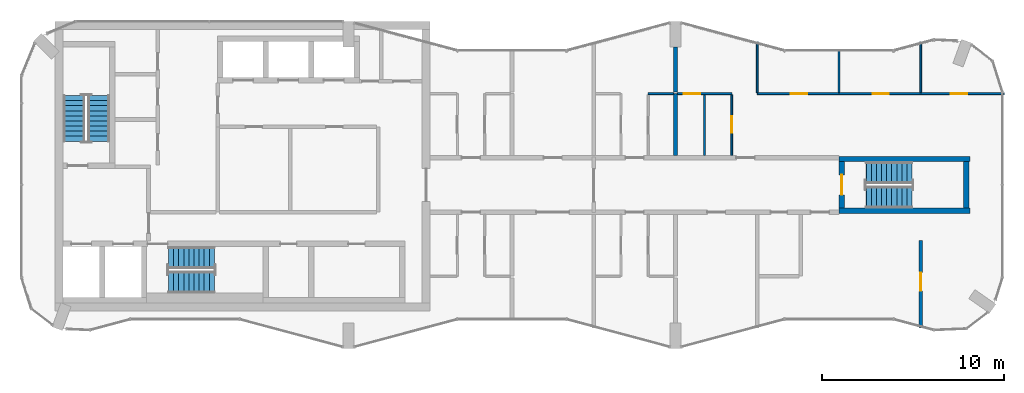
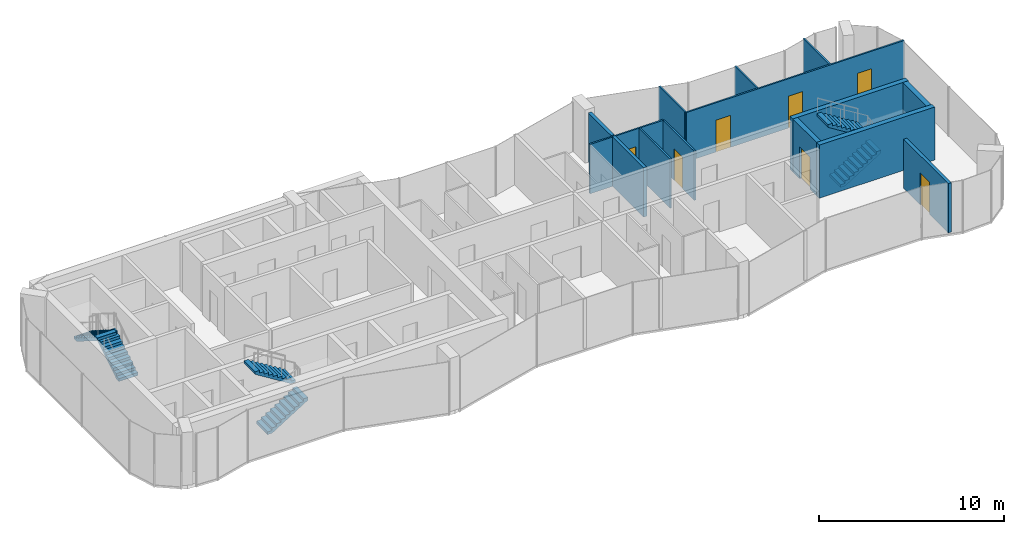
# One storey, part 9 of 10: 15 walls, 7 doors, 6 stair flights, 7 openings, 3 elements without a shape of their own.
"""IFC4 building model written with IfcOpenShell, lengths in metres."""

from ifc_helpers import new_model, si_unit, direction, frame, frame_2d, origin, place, context, subcontext, project, spatial, polyline, rectangle, outline, extrude, material, layer, layer_set, type_object, element, fill, aggregate, save


model = new_model("IFC4")

# Units and contexts
model_context = context("Model", 3, precision=1e-05, world=origin(), true_north=direction((0.0, 1.0)))
body_context = subcontext(model_context, "Body", "Model", "MODEL_VIEW")
ifc_project = project(units=[si_unit("LENGTHUNIT", "METRE"), si_unit("AREAUNIT", "SQUARE_METRE"), si_unit("VOLUMEUNIT", "CUBIC_METRE"), si_unit("PLANEANGLEUNIT", "RADIAN"), si_unit("MASSUNIT", "GRAM", prefix="KILO")], contexts=[model_context])

# Site, building, storey
site_placement = place(None, origin())
site = spatial("IfcSite", under=ifc_project, at=site_placement, CompositionType="ELEMENT")
building_placement = place(site_placement, origin())
building = spatial("IfcBuilding", under=site, at=building_placement, Name="Plateau Cross Towers", CompositionType="ELEMENT")
storey_placement = place(building_placement, frame((0.0, 0.0, 259.89990234375)))
storey = spatial("IfcBuildingStorey", under=building, at=storey_placement, Name="L68", CompositionType="ELEMENT", Elevation=259.89990234375)

# Wall
ifc_material_1 = material(Name="Gypsum board on steel studs", Category="steel")
ifc_layer_1 = layer(ifc_material_1, 0.10009765625)
ifc_layer_set_1 = layer_set([ifc_layer_1], Name="Gypsum board on steel studs")
wall_type_1 = type_object("IfcWallType", Name="Flat partition 100", PredefinedType="PARTITIONING", material=ifc_layer_set_1)
wall_1_placement = place(storey_placement, frame((35.89990234375, 14.02490234375, 0.0), z_axis=(0.0, 0.0, 1.0), x_axis=(-1.0, 0.0, 0.0)))
element("IfcWall", 1, at=wall_1_placement, inside=storey, type_object=wall_type_1, Name="Partition wall", PredefinedType="PARTITIONING", context=body_context, shape_type="SweptSolid", body=[
    extrude(rectangle(XDim=1.39990234375, YDim=0.10009765625, at=frame_2d((0.699951171875, 0.0))), origin(), (0.0, 0.0, 1.0), 3.25),
])

# Wall, opening, door
wall_2_placement = place(storey_placement, frame((39.10009765625, 14.02490234375, 0.0), z_axis=(0.0, 0.0, 1.0), x_axis=(-1.0, 0.0, 0.0)))
wall_2 = element("IfcWall", 2, at=wall_2_placement, inside=storey, type_object=wall_type_1, Name="Partition wall", PredefinedType="PARTITIONING", context=body_context, shape_type="SweptSolid", body=[
    extrude(rectangle(XDim=3.0, YDim=0.10009765625, at=frame_2d((1.5, 0.0))), origin(), (0.0, 0.0, 1.0), 3.25),
])
opening_1_placement = place(wall_2_placement, frame((1.75, 0.0, 0.0)))
opening_1 = element("IfcOpeningElement", 3, at=opening_1_placement, cuts=wall_2, Name="Opening 68-21", PredefinedType="OPENING", context=body_context, shape_type="SweptSolid", body=[
    extrude(rectangle(XDim=0.89990234375, YDim=2.10009765625, at=frame_2d((0.449951171875, 1.050048828125))), frame((0.0, 0.06005859375, 0.0), z_axis=(0.0, -1.0, 0.0), x_axis=(1.0, 0.0, 0.0)), (0.0, 0.0, 1.0), 0.1201171875),
])
ifc_material_2 = material(Name="Timber leaf", Category="wood")
door_type_1 = type_object("IfcDoorType", Name="Flat room door 900", OperationType="NOTDEFINED", PredefinedType="DOOR", material=ifc_material_2)
door_1_placement = place(opening_1_placement, origin())
door_1 = element("IfcDoor", 4, at=door_1_placement, inside=storey, type_object=door_type_1, Name="Door 68-21", OperationType="SINGLE_SWING_RIGHT", OverallHeight=2.10009765625, OverallWidth=0.89990234375, PredefinedType="DOOR", context=body_context, shape_type="SweptSolid", body=[
    extrude(rectangle(XDim=0.89990234375, YDim=2.10009765625, at=frame_2d((0.449951171875, 1.050048828125))), frame((0.0, 0.02490234375, 0.0), z_axis=(0.0, -1.0, 0.0), x_axis=(1.0, 0.0, 0.0)), (0.0, 0.0, 1.0), 0.050048828125),
])
fill(opening_1, door_1)

# Wall, openings, doors
wall_3_placement = place(storey_placement, frame((40.5, 14.02490234375, 0.0), z_axis=(0.0, 0.0, 1.0), x_axis=(1.0, 0.0, 0.0)))
wall_3 = element("IfcWall", 5, at=wall_3_placement, inside=storey, type_object=wall_type_1, Name="Partition wall", PredefinedType="PARTITIONING", context=body_context, shape_type="SweptSolid", body=[
    extrude(rectangle(XDim=13.580078125, YDim=0.10009765625, at=frame_2d((6.7900390625, 0.0))), origin(), (0.0, 0.0, 1.0), 3.25),
])
opening_2_placement = place(wall_3_placement, frame((1.85009765625, 0.0, 0.0)))
opening_2 = element("IfcOpeningElement", 6, at=opening_2_placement, cuts=wall_3, Name="Opening 68-23", PredefinedType="OPENING", context=body_context, shape_type="SweptSolid", body=[
    extrude(rectangle(XDim=0.89990234375, YDim=2.10009765625, at=frame_2d((0.449951171875, 1.050048828125))), frame((0.0, 0.06005859375, 0.0), z_axis=(0.0, -1.0, 0.0), x_axis=(1.0, 0.0, 0.0)), (0.0, 0.0, 1.0), 0.1201171875),
])
opening_3_placement = place(wall_3_placement, frame((6.35009765625, 0.0, 0.0)))
opening_3 = element("IfcOpeningElement", 7, at=opening_3_placement, cuts=wall_3, Name="Opening 68-24", PredefinedType="OPENING", context=body_context, shape_type="SweptSolid", body=[
    extrude(rectangle(XDim=0.89990234375, YDim=2.10009765625, at=frame_2d((0.449951171875, 1.050048828125))), frame((0.0, 0.06005859375, 0.0), z_axis=(0.0, -1.0, 0.0), x_axis=(1.0, 0.0, 0.0)), (0.0, 0.0, 1.0), 0.1201171875),
])
opening_4_placement = place(wall_3_placement, frame((10.64990234375, 0.0, 0.0)))
opening_4 = element("IfcOpeningElement", 8, at=opening_4_placement, cuts=wall_3, Name="Opening 68-25", PredefinedType="OPENING", context=body_context, shape_type="SweptSolid", body=[
    extrude(rectangle(XDim=0.89990234375, YDim=2.10009765625, at=frame_2d((0.449951171875, 1.050048828125))), frame((0.0, 0.06005859375, 0.0), z_axis=(0.0, -1.0, 0.0), x_axis=(1.0, 0.0, 0.0)), (0.0, 0.0, 1.0), 0.1201171875),
])
door_2_placement = place(opening_2_placement, origin())
door_2 = element("IfcDoor", 9, at=door_2_placement, inside=storey, type_object=door_type_1, Name="Door 68-23", OperationType="SINGLE_SWING_LEFT", OverallHeight=2.10009765625, OverallWidth=0.89990234375, PredefinedType="DOOR", context=body_context, shape_type="SweptSolid", body=[
    extrude(rectangle(XDim=0.89990234375, YDim=2.10009765625, at=frame_2d((0.449951171875, 1.050048828125))), frame((0.0, 0.02490234375, 0.0), z_axis=(0.0, -1.0, 0.0), x_axis=(1.0, 0.0, 0.0)), (0.0, 0.0, 1.0), 0.050048828125),
])
fill(opening_2, door_2)
door_3_placement = place(opening_3_placement, origin())
door_3 = element("IfcDoor", 10, at=door_3_placement, inside=storey, type_object=door_type_1, Name="Door 68-24", OperationType="SINGLE_SWING_RIGHT", OverallHeight=2.10009765625, OverallWidth=0.89990234375, PredefinedType="DOOR", context=body_context, shape_type="SweptSolid", body=[
    extrude(rectangle(XDim=0.89990234375, YDim=2.10009765625, at=frame_2d((0.449951171875, 1.050048828125))), frame((0.0, 0.02490234375, 0.0), z_axis=(0.0, -1.0, 0.0), x_axis=(1.0, 0.0, 0.0)), (0.0, 0.0, 1.0), 0.050048828125),
])
fill(opening_3, door_3)
door_4_placement = place(opening_4_placement, origin())
door_4 = element("IfcDoor", 11, at=door_4_placement, inside=storey, type_object=door_type_1, Name="Door 68-25", OperationType="SINGLE_SWING_RIGHT", OverallHeight=2.10009765625, OverallWidth=0.89990234375, PredefinedType="DOOR", context=body_context, shape_type="SweptSolid", body=[
    extrude(rectangle(XDim=0.89990234375, YDim=2.10009765625, at=frame_2d((0.449951171875, 1.050048828125))), frame((0.0, 0.02490234375, 0.0), z_axis=(0.0, -1.0, 0.0), x_axis=(1.0, 0.0, 0.0)), (0.0, 0.0, 1.0), 0.050048828125),
])
fill(opening_4, door_4)

# Wall
wall_4_placement = place(storey_placement, frame((37.60009765625, 10.625, 0.0), z_axis=(0.0, 0.0, 1.0), x_axis=(0.0, 1.0, 0.0)))
element("IfcWall", 12, at=wall_4_placement, inside=storey, type_object=wall_type_1, Name="Partition wall", PredefinedType="PARTITIONING", context=body_context, shape_type="SweptSolid", body=[
    extrude(rectangle(XDim=3.35009765625, YDim=0.10009765625, at=frame_2d((1.675048828125, 0.0))), origin(), (0.0, 0.0, 1.0), 3.25),
])

# Wall, opening, door
wall_5_placement = place(storey_placement, frame((39.10009765625, 10.625, 0.0), z_axis=(0.0, 0.0, 1.0), x_axis=(0.0, 1.0, 0.0)))
wall_5 = element("IfcWall", 13, at=wall_5_placement, inside=storey, type_object=wall_type_1, Name="Partition wall", PredefinedType="PARTITIONING", context=body_context, shape_type="SweptSolid", body=[
    extrude(rectangle(XDim=3.35009765625, YDim=0.10009765625, at=frame_2d((1.675048828125, 0.0))), origin(), (0.0, 0.0, 1.0), 3.25),
])
opening_5_placement = place(wall_5_placement, frame((1.25, 0.0, 0.0)))
opening_5 = element("IfcOpeningElement", 14, at=opening_5_placement, cuts=wall_5, Name="Opening 68-22", PredefinedType="OPENING", context=body_context, shape_type="SweptSolid", body=[
    extrude(rectangle(XDim=0.89990234375, YDim=2.10009765625, at=frame_2d((0.449951171875, 1.050048828125))), frame((0.0, 0.06005859375, 0.0), z_axis=(0.0, -1.0, 0.0), x_axis=(1.0, 0.0, 0.0)), (0.0, 0.0, 1.0), 0.1201171875),
])
door_5_placement = place(opening_5_placement, origin())
door_5 = element("IfcDoor", 15, at=door_5_placement, inside=storey, type_object=door_type_1, Name="Door 68-22", OperationType="SINGLE_SWING_RIGHT", OverallHeight=2.10009765625, OverallWidth=0.89990234375, PredefinedType="DOOR", context=body_context, shape_type="SweptSolid", body=[
    extrude(rectangle(XDim=0.89990234375, YDim=2.10009765625, at=frame_2d((0.449951171875, 1.050048828125))), frame((0.0, 0.02490234375, 0.0), z_axis=(0.0, -1.0, 0.0), x_axis=(1.0, 0.0, 0.0)), (0.0, 0.0, 1.0), 0.050048828125),
])
fill(opening_5, door_5)

# Walls
wall_6_placement = place(storey_placement, frame((40.5, 16.877685546875, 0.0), z_axis=(0.0, 0.0, 1.0), x_axis=(0.0, -1.0, 0.0)))
element("IfcWall", 16, at=wall_6_placement, inside=storey, type_object=wall_type_1, Name="Partition wall", PredefinedType="PARTITIONING", context=body_context, shape_type="SweptSolid", body=[
    extrude(rectangle(XDim=2.802734375, YDim=0.10009765625, at=frame_2d((1.4013671875, 0.0))), origin(), (0.0, 0.0, 1.0), 3.25),
])
wall_7_placement = place(storey_placement, frame((45.0, 14.074951171875, 0.0), z_axis=(0.0, 0.0, 1.0), x_axis=(0.0, 1.0, 0.0)))
element("IfcWall", 17, at=wall_7_placement, inside=storey, type_object=wall_type_1, Name="Partition wall", PredefinedType="PARTITIONING", context=body_context, shape_type="SweptSolid", body=[
    extrude(rectangle(XDim=2.398193359375, YDim=0.10009765625, at=frame_2d((1.19921875, 0.0))), origin(), (0.0, 0.0, 1.0), 3.25),
])
wall_8_placement = place(storey_placement, frame((49.5, 14.074951171875, 0.0), z_axis=(0.0, 0.0, 1.0), x_axis=(0.0, 1.0, 0.0)))
element("IfcWall", 18, at=wall_8_placement, inside=storey, type_object=wall_type_1, Name="Partition wall", PredefinedType="PARTITIONING", context=body_context, shape_type="SweptSolid", body=[
    extrude(rectangle(XDim=2.802734375, YDim=0.10009765625, at=frame_2d((1.4013671875, 0.0))), origin(), (0.0, 0.0, 1.0), 3.25),
])
ifc_material_3 = material(Name="Gypsum board on steel studs, two layers each side", Category="steel")
ifc_layer_2 = layer(ifc_material_3, 0.199951171875)
ifc_layer_set_2 = layer_set([ifc_layer_2], Name="Gypsum board on steel studs, two layers each side")
wall_type_2 = type_object("IfcWallType", Name="Flat party wall 200", PredefinedType="PARTITIONING", material=ifc_layer_set_2)
wall_9_placement = place(storey_placement, frame((36.0, 16.60009765625, 0.0), z_axis=(0.0, 0.0, 1.0), x_axis=(0.0, -1.0, 0.0)))
element("IfcWall", 19, at=wall_9_placement, inside=storey, type_object=wall_type_2, Name="Party wall", PredefinedType="PARTITIONING", context=body_context, shape_type="SweptSolid", body=[
    extrude(rectangle(XDim=2.47509765625, YDim=0.199951171875, at=frame_2d((1.237548828125, 0.0))), origin(), (0.0, 0.0, 1.0), 3.25),
])
wall_10_placement = place(storey_placement, frame((36.0, 10.625, 0.0), z_axis=(0.0, 0.0, 1.0), x_axis=(0.0, 1.0, 0.0)))
element("IfcWall", 20, at=wall_10_placement, inside=storey, type_object=wall_type_2, Name="Party wall", PredefinedType="PARTITIONING", context=body_context, shape_type="SweptSolid", body=[
    extrude(rectangle(XDim=3.39990234375, YDim=0.199951171875, at=frame_2d((1.699951171875, 0.0))), origin(), (0.0, 0.0, 1.0), 3.25),
])

# Wall, opening, door
wall_11_placement = place(storey_placement, frame((49.5, 1.122314453125, 0.0), z_axis=(0.0, 0.0, 1.0), x_axis=(0.0, 1.0, 0.0)))
wall_11 = element("IfcWall", 21, at=wall_11_placement, inside=storey, type_object=wall_type_2, Name="Party wall", PredefinedType="PARTITIONING", context=body_context, shape_type="SweptSolid", body=[
    extrude(rectangle(XDim=4.82763671875, YDim=0.199951171875, at=frame_2d((2.413818359375, 0.0))), origin(), (0.0, 0.0, 1.0), 3.25),
])
opening_6_placement = place(wall_11_placement, frame((2.050048828125, 0.0, 0.0)))
opening_6 = element("IfcOpeningElement", 22, at=opening_6_placement, cuts=wall_11, Name="Opening 68-12", PredefinedType="OPENING", context=body_context, shape_type="SweptSolid", body=[
    extrude(rectangle(XDim=1.0, YDim=2.10009765625, at=frame_2d((0.5, 1.050048828125))), frame((0.0, 0.10986328125, 0.0), z_axis=(0.0, -1.0, 0.0), x_axis=(1.0, 0.0, 0.0)), (0.0, 0.0, 1.0), 0.219970703125),
])
ifc_material_4 = material(Name="Timber, fire-resisting leaf", Category="wood")
door_type_2 = type_object("IfcDoorType", Name="Flat entrance door 1000", OperationType="NOTDEFINED", PredefinedType="DOOR", material=ifc_material_4)
door_6_placement = place(opening_6_placement, origin())
door_6 = element("IfcDoor", 23, at=door_6_placement, inside=storey, type_object=door_type_2, Name="Door 68-12", OperationType="SINGLE_SWING_RIGHT", OverallHeight=2.10009765625, OverallWidth=1.0, PredefinedType="DOOR", context=body_context, shape_type="SweptSolid", body=[
    extrude(rectangle(XDim=1.0, YDim=2.10009765625, at=frame_2d((0.5, 1.050048828125))), frame((0.0, 0.02490234375, 0.0), z_axis=(0.0, -1.0, 0.0), x_axis=(1.0, 0.0, 0.0)), (0.0, 0.0, 1.0), 0.050048828125),
])
fill(opening_6, door_6)

ifc_material_5 = material(Name="Concrete C60/75", Category="concrete")
ifc_layer_3 = layer(ifc_material_5, 0.300048828125)
ifc_layer_set_3 = layer_set([ifc_layer_3], Name="Concrete C60/75")
wall_type_3 = type_object("IfcWallType", Name="Stair tower wall 300", PredefinedType="SHEAR", material=ifc_layer_set_3)
wall_12_placement = place(storey_placement, frame((45.14990234375, 7.72509765625, 0.0), z_axis=(0.0, 0.0, 1.0), x_axis=(0.0, 1.0, 0.0)))
wall_12 = element("IfcWall", 24, at=wall_12_placement, inside=storey, type_object=wall_type_3, Name="A-end-E-W@L68", PredefinedType="SHEAR", context=body_context, shape_type="SweptSolid", body=[
    extrude(rectangle(XDim=2.5498046875, YDim=0.300048828125, at=frame_2d((1.27490234375, 0.0))), origin(), (0.0, 0.0, 1.0), 3.5),
])
opening_7_placement = place(wall_12_placement, frame((0.72509765625, 0.0, 0.0)))
opening_7 = element("IfcOpeningElement", 25, at=opening_7_placement, cuts=wall_12, Name="Opening SD", PredefinedType="OPENING", context=body_context, shape_type="SweptSolid", body=[
    extrude(rectangle(XDim=1.10009765625, YDim=2.10009765625, at=frame_2d((0.550048828125, 1.050048828125))), frame((0.0, 0.159912109375, 0.0), z_axis=(0.0, -1.0, 0.0), x_axis=(1.0, 0.0, 0.0)), (0.0, 0.0, 1.0), 0.320068359375),
])
ifc_material_6 = material(Name="Steel, fire-resisting leaf", Category="steel")
door_type_3 = type_object("IfcDoorType", Name="Stair door 1100", OperationType="NOTDEFINED", PredefinedType="DOOR", material=ifc_material_6)
door_7_placement = place(opening_7_placement, origin())
door_7 = element("IfcDoor", 26, at=door_7_placement, inside=storey, type_object=door_type_3, Name="Stair door SD", OperationType="SINGLE_SWING_LEFT", OverallHeight=2.10009765625, OverallWidth=1.10009765625, PredefinedType="DOOR", context=body_context, shape_type="SweptSolid", body=[
    extrude(rectangle(XDim=1.10009765625, YDim=2.10009765625, at=frame_2d((0.550048828125, 1.050048828125))), frame((0.0, 0.02490234375, 0.0), z_axis=(0.0, -1.0, 0.0), x_axis=(1.0, 0.0, 0.0)), (0.0, 0.0, 1.0), 0.050048828125),
])
fill(opening_7, door_7)

# Walls
wall_13_placement = place(storey_placement, frame((52.0, 7.72509765625, 0.0), z_axis=(0.0, 0.0, 1.0), x_axis=(0.0, 1.0, 0.0)))
element("IfcWall", 27, at=wall_13_placement, inside=storey, type_object=wall_type_3, Name="A-end-E-E@L68", PredefinedType="SHEAR", context=body_context, shape_type="SweptSolid", body=[
    extrude(rectangle(XDim=2.5498046875, YDim=0.300048828125, at=frame_2d((1.27490234375, 0.0))), origin(), (0.0, 0.0, 1.0), 3.5),
])
for number, where, z_axis, x_axis, name in (
    (28, (45.0, 7.574951171875, 0.0), (0.0, 0.0, 1.0), (1.0, 0.0, 0.0), "A-end-E-S@L68"),
    (29, (45.0, 10.425048828125, 0.0), (0.0, 0.0, 1.0), (1.0, 0.0, 0.0), "A-end-E-N@L68"),
):
    element("IfcWall", number, at=place(storey_placement, frame(where, z_axis=z_axis, x_axis=x_axis)), inside=storey, type_object=wall_type_3, Name=name, PredefinedType="SHEAR", context=body_context, shape_type="SweptSolid", body=[
        extrude(rectangle(XDim=7.199951171875, YDim=0.300048828125, at=frame_2d((3.60009765625, 0.0))), origin(), (0.0, 0.0, 1.0), 3.5),
    ])

# Stair, stair flights
ifc_material_7 = material(Name="Concrete C40/50", Category="concrete")
stair_type = type_object("IfcStairType", Name="ST-TWR", PredefinedType="HALF_TURN_STAIR", material=ifc_material_7)
stair_1_placement = place(storey_placement, origin())
stair_1 = element("IfcStair", 30, at=stair_1_placement, inside=storey, type_object=stair_type, Name="L68 Protected Exit Stair ST-1", PredefinedType="HALF_TURN_STAIR")
stair_flight_type = type_object("IfcStairFlightType", Name="SFL-RC", PredefinedType="STRAIGHT", material=ifc_material_7)
stair_flight_1_placement = place(storey_placement, frame((4.25, 11.39990234375, 0.0), z_axis=(0.0, 0.0, 1.0), x_axis=(0.0, 1.0, 0.0)))
stair_flight_1 = element("IfcStairFlight", 31, at=stair_flight_1_placement, type_object=stair_flight_type, Name="ST-1 flight 1", NumberOfRisers=10, NumberOfTreads=9, PredefinedType="STRAIGHT", RiserHeight=0.175, TreadLength=0.28, context=body_context, shape_type="SweptSolid", body=[
    extrude(outline(polyline([(-0.0048828125, -0.010009765625), (-0.0048828125, 0.0), (0.0, 0.0), (0.0, 0.175048828125), (0.280029296875, 0.175048828125), (0.280029296875, 0.35009765625), (0.56005859375, 0.35009765625), (0.56005859375, 0.52490234375), (0.840087890625, 0.52490234375), (0.840087890625, 0.699951171875), (1.1201171875, 0.699951171875), (1.1201171875, 0.875), (1.39990234375, 0.875), (1.39990234375, 1.050048828125), (1.679931640625, 1.050048828125), (1.679931640625, 1.22509765625), (1.9599609375, 1.22509765625), (1.9599609375, 1.39990234375), (2.239990234375, 1.39990234375), (2.239990234375, 1.574951171875), (2.52001953125, 1.574951171875), (2.52490234375, 1.56494140625), (2.52490234375, 1.398193359375), (2.52001953125, 1.398193359375), (0.28271484375, 0.0), (0.02001953125, 0.0), (0.02001953125, -0.010009765625), (-0.0048828125, -0.010009765625)])), frame((0.0, 0.60009765625, 0.0), z_axis=(0.0, -1.0, 0.0), x_axis=(1.0, 0.0, 0.0)), (0.0, 0.0, 1.0), 1.199951171875),
])
stair_flight_2_placement = place(storey_placement, frame((2.89990234375, 13.919921875, 1.75), z_axis=(0.0, 0.0, 1.0), x_axis=(0.0, -1.0, 0.0)))
stair_flight_2 = element("IfcStairFlight", 32, at=stair_flight_2_placement, type_object=stair_flight_type, Name="ST-1 flight 2", NumberOfRisers=10, NumberOfTreads=9, PredefinedType="STRAIGHT", RiserHeight=0.175, TreadLength=0.28, context=body_context, shape_type="SweptSolid", body=[
    extrude(outline(polyline([(-0.0048828125, -0.010009765625), (-0.0048828125, 0.0), (0.0, 0.0), (0.0, 0.175048828125), (0.280029296875, 0.175048828125), (0.280029296875, 0.35009765625), (0.56005859375, 0.35009765625), (0.56005859375, 0.52490234375), (0.840087890625, 0.52490234375), (0.840087890625, 0.699951171875), (1.1201171875, 0.699951171875), (1.1201171875, 0.875), (1.39990234375, 0.875), (1.39990234375, 1.050048828125), (1.679931640625, 1.050048828125), (1.679931640625, 1.22509765625), (1.9599609375, 1.22509765625), (1.9599609375, 1.39990234375), (2.239990234375, 1.39990234375), (2.239990234375, 1.574951171875), (2.52001953125, 1.574951171875), (2.52490234375, 1.56494140625), (2.52490234375, 1.398193359375), (2.52001953125, 1.398193359375), (0.28271484375, 0.0), (0.02001953125, 0.0), (0.02001953125, -0.010009765625), (-0.0048828125, -0.010009765625)])), frame((0.0, 0.60009765625, 0.0), z_axis=(0.0, -1.0, 0.0), x_axis=(1.0, 0.0, 0.0)), (0.0, 0.0, 1.0), 1.199951171875),
])
aggregate(stair_1, [stair_flight_1, stair_flight_2])

stair_2_placement = place(storey_placement, origin())
stair_2 = element("IfcStair", 33, at=stair_2_placement, inside=storey, type_object=stair_type, Name="L68 Protected Exit Stair ST-2", PredefinedType="HALF_TURN_STAIR")
stair_flight_3_placement = place(storey_placement, frame((8.10009765625, 3.64990234375, 0.0), z_axis=(0.0, 0.0, 1.0), x_axis=(1.0, 0.0, 0.0)))
stair_flight_3 = element("IfcStairFlight", 34, at=stair_flight_3_placement, type_object=stair_flight_type, Name="ST-2 flight 1", NumberOfRisers=10, NumberOfTreads=9, PredefinedType="STRAIGHT", RiserHeight=0.175, TreadLength=0.28, context=body_context, shape_type="SweptSolid", body=[
    extrude(outline(polyline([(-0.0048828125, -0.010009765625), (-0.0048828125, 0.0), (0.0, 0.0), (0.0, 0.175048828125), (0.280029296875, 0.175048828125), (0.280029296875, 0.35009765625), (0.56005859375, 0.35009765625), (0.56005859375, 0.52490234375), (0.840087890625, 0.52490234375), (0.840087890625, 0.699951171875), (1.1201171875, 0.699951171875), (1.1201171875, 0.875), (1.39990234375, 0.875), (1.39990234375, 1.050048828125), (1.679931640625, 1.050048828125), (1.679931640625, 1.22509765625), (1.9599609375, 1.22509765625), (1.9599609375, 1.39990234375), (2.239990234375, 1.39990234375), (2.239990234375, 1.574951171875), (2.52001953125, 1.574951171875), (2.52490234375, 1.56494140625), (2.52490234375, 1.398193359375), (2.52001953125, 1.398193359375), (0.28271484375, 0.0), (0.02001953125, 0.0), (0.02001953125, -0.010009765625), (-0.0048828125, -0.010009765625)])), frame((0.0, 0.60009765625, 0.0), z_axis=(0.0, -1.0, 0.0), x_axis=(1.0, 0.0, 0.0)), (0.0, 0.0, 1.0), 1.199951171875),
])
stair_flight_4_placement = place(storey_placement, frame((10.6201171875, 5.0, 1.75), z_axis=(0.0, 0.0, 1.0), x_axis=(-1.0, 0.0, 0.0)))
stair_flight_4 = element("IfcStairFlight", 35, at=stair_flight_4_placement, type_object=stair_flight_type, Name="ST-2 flight 2", NumberOfRisers=10, NumberOfTreads=9, PredefinedType="STRAIGHT", RiserHeight=0.175, TreadLength=0.28, context=body_context, shape_type="SweptSolid", body=[
    extrude(outline(polyline([(-0.0048828125, -0.010009765625), (-0.0048828125, 0.0), (0.0, 0.0), (0.0, 0.175048828125), (0.280029296875, 0.175048828125), (0.280029296875, 0.35009765625), (0.56005859375, 0.35009765625), (0.56005859375, 0.52490234375), (0.840087890625, 0.52490234375), (0.840087890625, 0.699951171875), (1.1201171875, 0.699951171875), (1.1201171875, 0.875), (1.39990234375, 0.875), (1.39990234375, 1.050048828125), (1.679931640625, 1.050048828125), (1.679931640625, 1.22509765625), (1.9599609375, 1.22509765625), (1.9599609375, 1.39990234375), (2.239990234375, 1.39990234375), (2.239990234375, 1.574951171875), (2.52001953125, 1.574951171875), (2.52490234375, 1.56494140625), (2.52490234375, 1.398193359375), (2.52001953125, 1.398193359375), (0.28271484375, 0.0), (0.02001953125, 0.0), (0.02001953125, -0.010009765625), (-0.0048828125, -0.010009765625)])), frame((0.0, 0.60009765625, 0.0), z_axis=(0.0, -1.0, 0.0), x_axis=(1.0, 0.0, 0.0)), (0.0, 0.0, 1.0), 1.199951171875),
])
aggregate(stair_2, [stair_flight_3, stair_flight_4])

stair_3_placement = place(storey_placement, origin())
stair_3 = element("IfcStair", 36, at=stair_3_placement, inside=storey, type_object=stair_type, Name="L68 Protected Exit Stair E", PredefinedType="HALF_TURN_STAIR")
stair_flight_5_placement = place(storey_placement, frame((46.5, 8.324951171875, 0.0), z_axis=(0.0, 0.0, 1.0), x_axis=(1.0, 0.0, 0.0)))
stair_flight_5 = element("IfcStairFlight", 37, at=stair_flight_5_placement, type_object=stair_flight_type, Name="ES-E flight 1", NumberOfRisers=10, NumberOfTreads=9, PredefinedType="STRAIGHT", RiserHeight=0.175, TreadLength=0.28, context=body_context, shape_type="SweptSolid", body=[
    extrude(outline(polyline([(-0.0048828125, -0.010009765625), (-0.0048828125, 0.0), (0.0, 0.0), (0.0, 0.175048828125), (0.280029296875, 0.175048828125), (0.280029296875, 0.35009765625), (0.56005859375, 0.35009765625), (0.56005859375, 0.52490234375), (0.840087890625, 0.52490234375), (0.840087890625, 0.699951171875), (1.1201171875, 0.699951171875), (1.1201171875, 0.875), (1.39990234375, 0.875), (1.39990234375, 1.050048828125), (1.679931640625, 1.050048828125), (1.679931640625, 1.22509765625), (1.9599609375, 1.22509765625), (1.9599609375, 1.39990234375), (2.239990234375, 1.39990234375), (2.239990234375, 1.574951171875), (2.52001953125, 1.574951171875), (2.52490234375, 1.56494140625), (2.52490234375, 1.398193359375), (2.52001953125, 1.398193359375), (0.28271484375, 0.0), (0.02001953125, 0.0), (0.02001953125, -0.010009765625), (-0.0048828125, -0.010009765625)])), frame((0.0, 0.60009765625, 0.0), z_axis=(0.0, -1.0, 0.0), x_axis=(1.0, 0.0, 0.0)), (0.0, 0.0, 1.0), 1.199951171875),
])
stair_flight_6_placement = place(storey_placement, frame((49.02001953125, 9.675048828125, 1.75), z_axis=(0.0, 0.0, 1.0), x_axis=(-1.0, 0.0, 0.0)))
stair_flight_6 = element("IfcStairFlight", 38, at=stair_flight_6_placement, type_object=stair_flight_type, Name="ES-E flight 2", NumberOfRisers=10, NumberOfTreads=9, PredefinedType="STRAIGHT", RiserHeight=0.175, TreadLength=0.28, context=body_context, shape_type="SweptSolid", body=[
    extrude(outline(polyline([(-0.0048828125, -0.010009765625), (-0.0048828125, 0.0), (0.0, 0.0), (0.0, 0.175048828125), (0.280029296875, 0.175048828125), (0.280029296875, 0.35009765625), (0.56005859375, 0.35009765625), (0.56005859375, 0.52490234375), (0.840087890625, 0.52490234375), (0.840087890625, 0.699951171875), (1.1201171875, 0.699951171875), (1.1201171875, 0.875), (1.39990234375, 0.875), (1.39990234375, 1.050048828125), (1.679931640625, 1.050048828125), (1.679931640625, 1.22509765625), (1.9599609375, 1.22509765625), (1.9599609375, 1.39990234375), (2.239990234375, 1.39990234375), (2.239990234375, 1.574951171875), (2.52001953125, 1.574951171875), (2.52490234375, 1.56494140625), (2.52490234375, 1.398193359375), (2.52001953125, 1.398193359375), (0.28271484375, 0.0), (0.02001953125, 0.0), (0.02001953125, -0.010009765625), (-0.0048828125, -0.010009765625)])), frame((0.0, 0.60009765625, 0.0), z_axis=(0.0, -1.0, 0.0), x_axis=(1.0, 0.0, 0.0)), (0.0, 0.0, 1.0), 1.199951171875),
])
aggregate(stair_3, [stair_flight_5, stair_flight_6])

save(model, "model.ifc")
